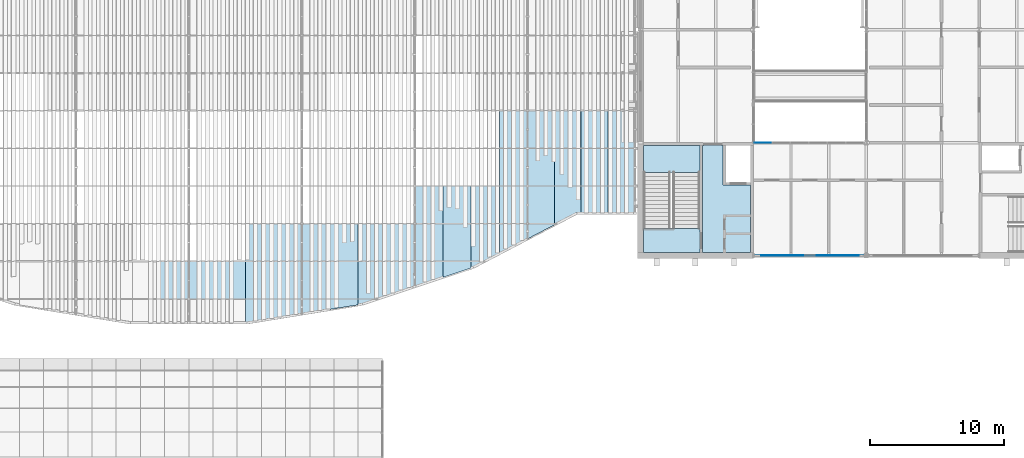
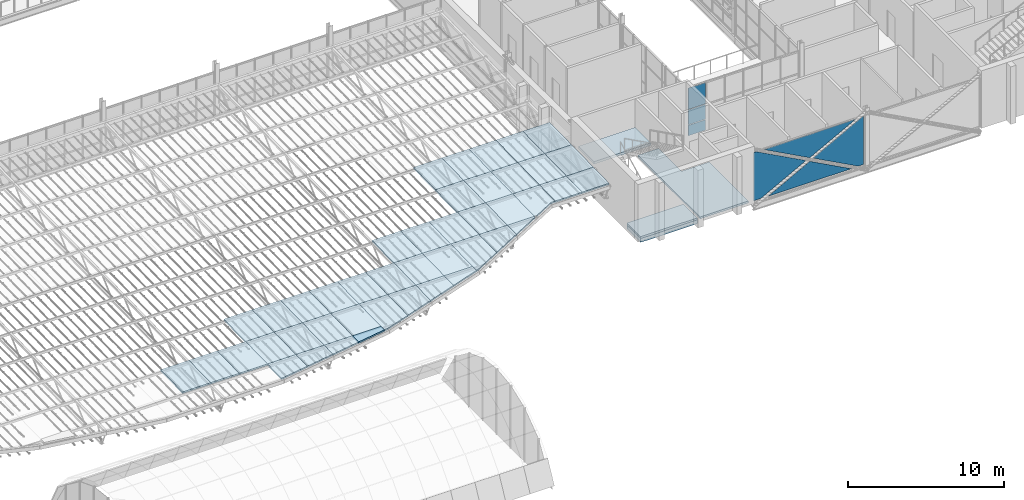
# One storey, part 71 of 129: 51 plates, 4 slabs, 3 elements without a shape of their own.
"""IFC4 building model written with IfcOpenShell, lengths in metres."""

from ifc_helpers import new_model, si_unit, direction, frame, origin, origin_2d, place, context, subcontext, project, spatial, polyline, rectangle, outline, extrude, material, layer, layer_set, type_object, element, aggregate, save


model = new_model("IFC4")

# Units and contexts
model_context = context("Model", 3, precision=1e-05, world=origin(), true_north=direction((0.0, 1.0)))
body_context = subcontext(model_context, "Body", "Model", "MODEL_VIEW")
ifc_project = project(units=[si_unit("LENGTHUNIT", "METRE"), si_unit("AREAUNIT", "SQUARE_METRE"), si_unit("VOLUMEUNIT", "CUBIC_METRE"), si_unit("PLANEANGLEUNIT", "RADIAN"), si_unit("MASSUNIT", "GRAM", prefix="KILO")], contexts=[model_context])

# Site, building, storey
site_placement = place(None, origin())
site = spatial("IfcSite", under=ifc_project, at=site_placement, CompositionType="ELEMENT")
building_placement = place(site_placement, origin())
building = spatial("IfcBuilding", under=site, at=building_placement, Name="Ardhachandra Cancer Care Centre", CompositionType="ELEMENT")
storey_placement = place(building_placement, frame((0.0, 0.0, 4.5)))
storey = spatial("IfcBuildingStorey", under=building, at=storey_placement, Name="L01", CompositionType="ELEMENT", Elevation=4.5)

# Slabs
ifc_material_1 = material(Name="Concrete M40", Category="concrete")
ifc_layer_1 = layer(ifc_material_1, 0.14990234375)
ifc_layer_set_1 = layer_set([ifc_layer_1], Name="Concrete M40")
slab_type_1 = type_object("IfcSlabType", Name="Core floor slab 150", PredefinedType="FLOOR", material=ifc_layer_set_1)
slab_1_placement = place(storey_placement, frame((0.0, 0.0, -0.14990234375)))
element("IfcSlab", 1, at=slab_1_placement, inside=storey, type_object=slab_type_1, Name="Core floor slab K11 L01 1", PredefinedType="FLOOR", context=body_context, shape_type="SweptSolid", body=[
    extrude(outline(polyline([(111.824951171875, 29.625), (116.02490234375, 29.625), (116.02490234375, 31.39990234375), (111.824951171875, 31.39990234375), (111.824951171875, 29.625)])), origin(), (0.0, 0.0, 1.0), 0.14990234375),
])
slab_2_placement = place(storey_placement, frame((0.0, 0.0, -0.14990234375)))
element("IfcSlab", 2, at=slab_2_placement, inside=storey, type_object=slab_type_1, Name="Core floor slab K11 L01 2", PredefinedType="FLOOR", context=body_context, shape_type="SweptSolid", body=[
    extrude(outline(polyline([(119.800048828125, 29.625), (119.800048828125, 34.64990234375), (117.949951171875, 34.64990234375), (117.75, 34.64990234375), (117.75, 37.60009765625), (116.22509765625, 37.60009765625), (116.22509765625, 29.625), (119.800048828125, 29.625)])), origin(), (0.0, 0.0, 1.0), 0.14990234375),
])
ifc_material_2 = material(Name="Concrete M40", Category="concrete")
ifc_layer_2 = layer(ifc_material_2, 0.300048828125)
ifc_layer_set_2 = layer_set([ifc_layer_2], Name="Concrete M40")
slab_type_2 = type_object("IfcSlabType", Name="Core stair edge slab 300", PredefinedType="FLOOR", material=ifc_layer_set_2)
slab_3_placement = place(storey_placement, frame((0.0, 0.0, -0.449951171875)))
element("IfcSlab", 3, at=slab_3_placement, inside=storey, type_object=slab_type_2, Name="Core stair edge slab K11 L01", PredefinedType="FLOOR", context=body_context, shape_type="SweptSolid", body=[
    extrude(outline(polyline([(111.824951171875, 31.39990234375), (116.02490234375, 31.39990234375), (116.02490234375, 29.625), (111.824951171875, 29.625), (111.824951171875, 31.39990234375)])), origin(), (0.0, 0.0, 1.0), 0.300048828125),
])

# Plates
ifc_material_3 = material(Name="Glass, laminated low-e insulating unit", Category="glass")
ifc_layer_3 = layer(ifc_material_3, 0.1201171875)
ifc_layer_set_3 = layer_set([ifc_layer_3], Name="Glass, laminated low-e insulating unit")
plate_type_1 = type_object("IfcPlateType", Name="Court glass cassette 120", PredefinedType="SHEET", material=ifc_layer_set_3)
plate_1_placement = place(storey_placement, frame((75.89990234375, 26.175048828125, 2.50341796875), z_axis=(0.0, -0.02005002746, 0.999798977995), x_axis=(0.0, 0.999798977995, 0.02005002746)))
element("IfcPlate", 4, at=plate_1_placement, inside=storey, type_object=plate_type_1, Name="Court glass cassette 4-10-4", PredefinedType="SHEET", context=body_context, shape_type="SweptSolid", body=[
    extrude(outline(polyline([(0.0, -2.10009765625), (2.800537109375, -2.10009765625), (2.800537109375, 0.0), (0.0, 0.0), (0.0, -2.10009765625)])), frame((0.0, 0.0, -0.1201171875)), (0.0, 0.0, 1.0), 0.1201171875),
])
plate_2_placement = place(storey_placement, frame((82.199951171875, 28.97509765625, 2.5595703125), z_axis=(0.0, -0.019964628297, 0.999800686946), x_axis=(0.0, 0.999800686946, 0.019964628297)))
element("IfcPlate", 5, at=plate_2_placement, inside=storey, type_object=plate_type_1, Name="Court glass cassette 5-9-3", PredefinedType="SHEET", context=body_context, shape_type="SweptSolid", body=[
    extrude(outline(polyline([(0.0, -2.10009765625), (2.80029296875, -2.10009765625), (2.80029296875, 0.0), (0.0, 0.0), (0.0, -2.10009765625)])), frame((0.0, 0.0, -0.1201171875)), (0.0, 0.0, 1.0), 0.1201171875),
])
plate_3_placement = place(storey_placement, frame((84.300048828125, 28.97509765625, 2.5595703125), z_axis=(0.0, -0.019964628297, 0.999800686946), x_axis=(0.0, 0.999800686946, 0.019964628297)))
element("IfcPlate", 6, at=plate_3_placement, inside=storey, type_object=plate_type_1, Name="Court glass cassette 5-9-4", PredefinedType="SHEET", context=body_context, shape_type="SweptSolid", body=[
    extrude(outline(polyline([(0.0, -2.099853515625), (2.80029296875, -2.099853515625), (2.80029296875, 0.0), (0.0, 0.0), (0.0, -2.099853515625)])), frame((0.0, 0.0, -0.1201171875)), (0.0, 0.0, 1.0), 0.1201171875),
])
plate_4_placement = place(storey_placement, frame((78.0, 26.175048828125, 2.50341796875), z_axis=(0.0, -0.02005002746, 0.999798977995), x_axis=(0.0, 0.999798977995, 0.02005002746)))
element("IfcPlate", 7, at=plate_4_placement, inside=storey, type_object=plate_type_1, Name="Court glass cassette 5-10-1", PredefinedType="SHEET", context=body_context, shape_type="SweptSolid", body=[
    extrude(outline(polyline([(0.0, -2.10009765625), (2.800537109375, -2.10009765625), (2.800537109375, 0.0), (0.0, 0.0), (0.0, -2.10009765625)])), frame((0.0, 0.0, -0.1201171875)), (0.0, 0.0, 1.0), 0.1201171875),
])
plate_5_placement = place(storey_placement, frame((80.10009765625, 26.175048828125, 2.50341796875), z_axis=(0.0, -0.02005002746, 0.999798977995), x_axis=(0.0, 0.999798977995, 0.02005002746)))
element("IfcPlate", 8, at=plate_5_placement, inside=storey, type_object=plate_type_1, Name="Court glass cassette 5-10-2", PredefinedType="SHEET", context=body_context, shape_type="SweptSolid", body=[
    extrude(outline(polyline([(0.0, -2.099853515625), (2.800537109375, -2.099853515625), (2.800537109375, 0.0), (0.0, 0.0), (0.0, -2.099853515625)])), frame((0.0, 0.0, -0.1201171875)), (0.0, 0.0, 1.0), 0.1201171875),
])
plate_6_placement = place(storey_placement, frame((82.199951171875, 26.175048828125, 2.50341796875), z_axis=(0.0, -0.02005002746, 0.999798977995), x_axis=(0.0, 0.999798977995, 0.02005002746)))
element("IfcPlate", 9, at=plate_6_placement, inside=storey, type_object=plate_type_1, Name="Court glass cassette 5-10-3", PredefinedType="SHEET", context=body_context, shape_type="SweptSolid", body=[
    extrude(outline(polyline([(0.0, -2.10009765625), (2.800537109375, -2.10009765625), (2.800537109375, 0.0), (0.0, 0.0), (0.0, -2.10009765625)])), frame((0.0, 0.0, -0.1201171875)), (0.0, 0.0, 1.0), 0.1201171875),
])
plate_7_placement = place(storey_placement, frame((84.300048828125, 26.175048828125, 2.50341796875), z_axis=(0.0, -0.02005002746, 0.999798977995), x_axis=(0.0, 0.999798977995, 0.02005002746)))
element("IfcPlate", 10, at=plate_7_placement, inside=storey, type_object=plate_type_1, Name="Court glass cassette 5-10-4", PredefinedType="SHEET", context=body_context, shape_type="SweptSolid", body=[
    extrude(outline(polyline([(0.0, -2.099853515625), (2.800537109375, -2.099853515625), (2.800537109375, 0.0), (0.0, 0.0), (0.0, -2.099853515625)])), frame((0.0, 0.0, -0.1201171875)), (0.0, 0.0, 1.0), 0.1201171875),
])
plate_8_placement = place(storey_placement, frame((82.199951171875, 26.175048828125, 2.50341796875), z_axis=(-1.0214398e-05, -0.019891469395, 0.999802145097), x_axis=(0.999999999948, -2.03179e-07, 1.0212377e-05)))
element("IfcPlate", 11, at=plate_8_placement, inside=storey, type_object=plate_type_1, Name="Court glass cassette 5-11-3", PredefinedType="SHEET", context=body_context, shape_type="SweptSolid", body=[
    extrude(outline(polyline([(0.0, -1.778564453125), (0.143798828125, -1.778564453125), (2.10009765625, -1.461669921875), (2.10009765625, 0.0), (0.0, 0.0), (0.0, -1.778564453125)])), frame((0.0, 0.0, -0.1201171875)), (0.0, 0.0, 1.0), 0.1201171875),
])
plate_9_placement = place(storey_placement, frame((84.300048828125, 26.175048828125, 2.50341796875), z_axis=(4.5545409e-05, -0.01994120837, 0.999801153297), x_axis=(0.999999998963, 9.0823e-07, -4.5536352e-05)))
element("IfcPlate", 12, at=plate_9_placement, inside=storey, type_object=plate_type_1, Name="Court glass cassette 5-11-4", PredefinedType="SHEET", context=body_context, shape_type="SweptSolid", body=[
    extrude(outline(polyline([(0.0, -1.461669921875), (2.099853515625, -1.12158203125), (2.099853515625, 0.0), (0.0, 0.0), (0.0, -1.461669921875)])), frame((0.0, 0.0, -0.1201171875)), (0.0, 0.0, 1.0), 0.1201171875),
])
for number, where, z_axis, x_axis, name in (
    (13, (86.39990234375, 28.97509765625, 2.5595703125), (0.0, -0.019964628297, 0.999800686946), (0.0, 0.999800686946, 0.019964628297), "Court glass cassette 6-9-1"),
    (14, (88.5, 28.97509765625, 2.5595703125), (0.0, -0.019964628297, 0.999800686946), (0.0, 0.999800686946, 0.019964628297), "Court glass cassette 6-9-2"),
):
    element("IfcPlate", number, at=place(storey_placement, frame(where, z_axis=z_axis, x_axis=x_axis)), inside=storey, type_object=plate_type_1, Name=name, PredefinedType="SHEET", context=body_context, shape_type="SweptSolid", body=[
        extrude(outline(polyline([(0.0, -2.10009765625), (2.80029296875, -2.10009765625), (2.80029296875, 0.0), (0.0, 0.0), (0.0, -2.10009765625)])), frame((0.0, 0.0, -0.1201171875)), (0.0, 0.0, 1.0), 0.1201171875),
    ])
plate_10_placement = place(storey_placement, frame((90.60009765625, 28.97509765625, 2.5595703125), z_axis=(0.0, -0.019964628297, 0.999800686946), x_axis=(0.0, 0.999800686946, 0.019964628297)))
element("IfcPlate", 15, at=plate_10_placement, inside=storey, type_object=plate_type_1, Name="Court glass cassette 6-9-3", PredefinedType="SHEET", context=body_context, shape_type="SweptSolid", body=[
    extrude(outline(polyline([(0.0, -2.099853515625), (2.80029296875, -2.099853515625), (2.80029296875, 0.0), (0.0, 0.0), (0.0, -2.099853515625)])), frame((0.0, 0.0, -0.1201171875)), (0.0, 0.0, 1.0), 0.1201171875),
])
plate_11_placement = place(storey_placement, frame((92.699951171875, 28.97509765625, 2.5595703125), z_axis=(0.0, -0.019964628297, 0.999800686946), x_axis=(0.0, 0.999800686946, 0.019964628297)))
element("IfcPlate", 16, at=plate_11_placement, inside=storey, type_object=plate_type_1, Name="Court glass cassette 6-9-4", PredefinedType="SHEET", context=body_context, shape_type="SweptSolid", body=[
    extrude(outline(polyline([(0.0, -2.10009765625), (2.80029296875, -2.10009765625), (2.80029296875, 0.0), (0.0, 0.0), (0.0, -2.10009765625)])), frame((0.0, 0.0, -0.1201171875)), (0.0, 0.0, 1.0), 0.1201171875),
])
for number, where, z_axis, x_axis, name in (
    (17, (86.39990234375, 26.175048828125, 2.50341796875), (0.0, -0.02005002746, 0.999798977995), (0.0, 0.999798977995, 0.02005002746), "Court glass cassette 6-10-1"),
    (18, (88.5, 26.175048828125, 2.50341796875), (0.0, -0.02005002746, 0.999798977995), (0.0, 0.999798977995, 0.02005002746), "Court glass cassette 6-10-2"),
):
    element("IfcPlate", number, at=place(storey_placement, frame(where, z_axis=z_axis, x_axis=x_axis)), inside=storey, type_object=plate_type_1, Name=name, PredefinedType="SHEET", context=body_context, shape_type="SweptSolid", body=[
        extrude(outline(polyline([(0.0, -2.10009765625), (2.800537109375, -2.10009765625), (2.800537109375, 0.0), (0.0, 0.0), (0.0, -2.10009765625)])), frame((0.0, 0.0, -0.1201171875)), (0.0, 0.0, 1.0), 0.1201171875),
    ])
plate_12_placement = place(storey_placement, frame((90.920166015625, 25.78564453125, 2.49560546875), z_axis=(-1.7693132e-05, -0.020044659764, 0.999799085468), x_axis=(-0.987171664814, -0.159630040026, -0.00321784251)))
element("IfcPlate", 19, at=plate_12_placement, inside=storey, type_object=plate_type_1, Name="Court glass cassette 6-10-3", PredefinedType="SHEET", context=body_context, shape_type="SweptSolid", body=[
    extrude(outline(polyline([(-1.2177734375, -0.197509765625), (-1.8515625, -0.30029296875), (-2.266357421875, -2.864990234375), (-0.193359375, -3.2001953125), (0.253662109375, -0.435546875), (0.32421875, 0.0), (0.0, 0.0), (-1.2177734375, -0.197509765625)])), frame((0.0, 0.0, -0.1201171875)), (0.0, 0.0, 1.0), 0.1201171875),
])
plate_13_placement = place(storey_placement, frame((92.699951171875, 28.97509765625, 2.5595703125), z_axis=(1.8743512e-05, -0.020031816122, 0.999799342864), x_axis=(0.999999999824, 3.75467e-07, -1.8739751e-05)))
element("IfcPlate", 20, at=plate_13_placement, inside=storey, type_object=plate_type_1, Name="Court glass cassette 6-10-4", PredefinedType="SHEET", context=body_context, shape_type="SweptSolid", body=[
    extrude(outline(polyline([(0.0, -2.597900390625), (2.10009765625, -1.8994140625), (2.10009765625, 0.0), (0.0, 0.0), (0.0, -2.597900390625)])), frame((0.0, 0.0, -0.1201171875)), (0.0, 0.0, 1.0), 0.1201171875),
])
plate_14_placement = place(storey_placement, frame((86.39990234375, 26.175048828125, 2.50341796875), z_axis=(-6.681699e-06, -0.020013955256, 0.999799700715), x_axis=(0.999999999978, -1.33727e-07, 6.680361e-06)))
element("IfcPlate", 21, at=plate_14_placement, inside=storey, type_object=plate_type_1, Name="Court glass cassette 6-11-1", PredefinedType="SHEET", context=body_context, shape_type="SweptSolid", body=[
    extrude(outline(polyline([(0.0, -1.12158203125), (2.10009765625, -0.781494140625), (2.10009765625, 0.0), (0.0, 0.0), (0.0, -1.12158203125)])), frame((0.0, 0.0, -0.1201171875)), (0.0, 0.0, 1.0), 0.1201171875),
])
plate_15_placement = place(storey_placement, frame((88.5, 26.175048828125, 2.50341796875), z_axis=(-1.0399546e-05, -0.019968057088, 0.999800618417), x_axis=(0.999999999946, -2.07659e-07, 1.0397473e-05)))
element("IfcPlate", 22, at=plate_15_placement, inside=storey, type_object=plate_type_1, Name="Court glass cassette 6-11-2", PredefinedType="SHEET", context=body_context, shape_type="SweptSolid", body=[
    extrude(outline(polyline([(0.0, -0.781494140625), (2.10009765625, -0.441162109375), (2.10009765625, 0.0), (0.0, 0.0), (0.0, -0.781494140625)])), frame((0.0, 0.0, -0.1201171875)), (0.0, 0.0, 1.0), 0.1201171875),
])
for number, where, z_axis, x_axis, name in (
    (23, (101.10009765625, 37.375, 2.7275390625), (0.0, -0.019962888244, 0.999800721691), (0.0, 0.999800721691, 0.019962888244), "Court glass cassette 7-6-4"),
    (24, (101.10009765625, 34.574951171875, 2.67138671875), (0.0, -0.02005002746, 0.999798977995), (0.0, 0.999798977995, 0.02005002746), "Court glass cassette 7-7-4"),
    (25, (94.800048828125, 31.77490234375, 2.615478515625), (0.0, -0.019962888244, 0.999800721691), (0.0, 0.999800721691, 0.019962888244), "Court glass cassette 7-8-1"),
):
    element("IfcPlate", number, at=place(storey_placement, frame(where, z_axis=z_axis, x_axis=x_axis)), inside=storey, type_object=plate_type_1, Name=name, PredefinedType="SHEET", context=body_context, shape_type="SweptSolid", body=[
        extrude(outline(polyline([(0.0, -2.099853515625), (2.800537109375, -2.099853515625), (2.800537109375, 0.0), (0.0, 0.0), (0.0, -2.099853515625)])), frame((0.0, 0.0, -0.1201171875)), (0.0, 0.0, 1.0), 0.1201171875),
    ])
for number, where, z_axis, x_axis, name in (
    (26, (96.89990234375, 31.77490234375, 2.615478515625), (0.0, -0.019962888244, 0.999800721691), (0.0, 0.999800721691, 0.019962888244), "Court glass cassette 7-8-2"),
    (27, (99.0, 31.77490234375, 2.615478515625), (0.0, -0.019962888244, 0.999800721691), (0.0, 0.999800721691, 0.019962888244), "Court glass cassette 7-8-3"),
):
    element("IfcPlate", number, at=place(storey_placement, frame(where, z_axis=z_axis, x_axis=x_axis)), inside=storey, type_object=plate_type_1, Name=name, PredefinedType="SHEET", context=body_context, shape_type="SweptSolid", body=[
        extrude(outline(polyline([(0.0, -2.10009765625), (2.800537109375, -2.10009765625), (2.800537109375, 0.0), (0.0, 0.0), (0.0, -2.10009765625)])), frame((0.0, 0.0, -0.1201171875)), (0.0, 0.0, 1.0), 0.1201171875),
    ])
plate_16_placement = place(storey_placement, frame((101.10009765625, 31.77490234375, 2.615478515625), z_axis=(0.0, -0.019962888244, 0.999800721691), x_axis=(0.0, 0.999800721691, 0.019962888244)))
element("IfcPlate", 28, at=plate_16_placement, inside=storey, type_object=plate_type_1, Name="Court glass cassette 7-8-4", PredefinedType="SHEET", context=body_context, shape_type="SweptSolid", body=[
    extrude(outline(polyline([(0.0, -2.099853515625), (2.800537109375, -2.099853515625), (2.800537109375, 0.0), (0.0, 0.0), (0.0, -2.099853515625)])), frame((0.0, 0.0, -0.1201171875)), (0.0, 0.0, 1.0), 0.1201171875),
])
plate_17_placement = place(storey_placement, frame((94.800048828125, 28.97509765625, 2.5595703125), z_axis=(0.0, -0.019964628297, 0.999800686946), x_axis=(0.0, 0.999800686946, 0.019964628297)))
element("IfcPlate", 29, at=plate_17_placement, inside=storey, type_object=plate_type_1, Name="Court glass cassette 7-9-1", PredefinedType="SHEET", context=body_context, shape_type="SweptSolid", body=[
    extrude(outline(polyline([(0.0, -2.099853515625), (2.80029296875, -2.099853515625), (2.80029296875, 0.0), (0.0, 0.0), (0.0, -2.099853515625)])), frame((0.0, 0.0, -0.1201171875)), (0.0, 0.0, 1.0), 0.1201171875),
])
plate_18_placement = place(storey_placement, frame((96.89990234375, 28.97509765625, 2.5595703125), z_axis=(0.0, -0.019964628297, 0.999800686946), x_axis=(0.0, 0.999800686946, 0.019964628297)))
element("IfcPlate", 30, at=plate_18_placement, inside=storey, type_object=plate_type_1, Name="Court glass cassette 7-9-2", PredefinedType="SHEET", context=body_context, shape_type="SweptSolid", body=[
    extrude(outline(polyline([(0.0, -2.10009765625), (2.80029296875, -2.10009765625), (2.80029296875, 0.0), (0.0, 0.0), (0.0, -2.10009765625)])), frame((0.0, 0.0, -0.1201171875)), (0.0, 0.0, 1.0), 0.1201171875),
])
plate_19_placement = place(storey_placement, frame((99.16650390625, 28.52880859375, 2.550537109375), z_axis=(1.6498352e-05, -0.019979320467, 0.999800393319), x_axis=(-0.948807903241, -0.315790970556, -0.006294891737)))
element("IfcPlate", 31, at=plate_19_placement, inside=storey, type_object=plate_type_1, Name="Court glass cassette 7-9-3", PredefinedType="SHEET", context=body_context, shape_type="SweptSolid", body=[
    extrude(outline(polyline([(-0.950927734375, -0.154052734375), (-2.154052734375, -0.3486328125), (-2.860107421875, -2.4697265625), (-0.867431640625, -3.133056640625), (0.01708984375, -0.47607421875), (0.175537109375, 0.0), (0.0, 0.0), (-0.950927734375, -0.154052734375)])), frame((0.0, 0.0, -0.1201171875)), (0.0, 0.0, 1.0), 0.1201171875),
])
plate_20_placement = place(storey_placement, frame((101.10009765625, 31.77490234375, 2.615478515625), z_axis=(-8.407016e-06, -0.019977189628, 0.999800435999), x_axis=(0.999999999965, -1.67949e-07, 8.405338e-06)))
element("IfcPlate", 32, at=plate_20_placement, inside=storey, type_object=plate_type_1, Name="Court glass cassette 7-9-4", PredefinedType="SHEET", context=body_context, shape_type="SweptSolid", body=[
    extrude(outline(polyline([(0.0, -2.235595703125), (2.099853515625, -1.137451171875), (2.099853515625, 0.0), (0.0, 0.0), (0.0, -2.235595703125)])), frame((0.0, 0.0, -0.1201171875)), (0.0, 0.0, 1.0), 0.1201171875),
])
plate_21_placement = place(storey_placement, frame((94.800048828125, 28.97509765625, 2.5595703125), z_axis=(2.8625555e-05, -0.020084178706, 0.99979829213), x_axis=(0.99999999959, 5.74921e-07, -2.8619781e-05)))
element("IfcPlate", 33, at=plate_21_placement, inside=storey, type_object=plate_type_1, Name="Court glass cassette 7-10-1", PredefinedType="SHEET", context=body_context, shape_type="SweptSolid", body=[
    extrude(outline(polyline([(0.0, -1.8994140625), (2.099853515625, -1.200439453125), (2.099853515625, 0.0), (0.0, 0.0), (0.0, -1.8994140625)])), frame((0.0, 0.0, -0.1201171875)), (0.0, 0.0, 1.0), 0.1201171875),
])
plate_22_placement = place(storey_placement, frame((96.89990234375, 28.97509765625, 2.5595703125), z_axis=(-3.1495599e-05, -0.020079152922, 0.99979839299), x_axis=(0.999999999504, -6.32405e-07, 3.1489249e-05)))
element("IfcPlate", 34, at=plate_22_placement, inside=storey, type_object=plate_type_1, Name="Court glass cassette 7-10-2", PredefinedType="SHEET", context=body_context, shape_type="SweptSolid", body=[
    extrude(outline(polyline([(0.0, -1.200439453125), (2.10009765625, -0.501708984375), (2.10009765625, 0.0), (0.0, 0.0), (0.0, -1.200439453125)])), frame((0.0, 0.0, -0.1201171875)), (0.0, 0.0, 1.0), 0.1201171875),
])
plate_23_placement = place(storey_placement, frame((103.199951171875, 37.375, 2.7275390625), z_axis=(0.0, -0.019962888244, 0.999800721691), x_axis=(0.0, 0.999800721691, 0.019962888244)))
element("IfcPlate", 35, at=plate_23_placement, inside=storey, type_object=plate_type_1, Name="Court glass cassette 8-6-1", PredefinedType="SHEET", context=body_context, shape_type="SweptSolid", body=[
    extrude(outline(polyline([(0.0, -1.996337890625), (2.800537109375, -1.996337890625), (2.800537109375, 0.0), (0.0, 0.0), (0.0, -1.996337890625)])), frame((0.0, 0.0, -0.1201171875)), (0.0, 0.0, 1.0), 0.1201171875),
])
plate_24_placement = place(storey_placement, frame((105.1962890625, 37.375, 2.7275390625), z_axis=(0.0, -0.019962888244, 0.999800721691), x_axis=(0.0, 0.999800721691, 0.019962888244)))
element("IfcPlate", 36, at=plate_24_placement, inside=storey, type_object=plate_type_1, Name="Court glass cassette 8-6-2", PredefinedType="SHEET", context=body_context, shape_type="SweptSolid", body=[
    extrude(outline(polyline([(0.0, -1.99609375), (2.800537109375, -1.99609375), (2.800537109375, 0.0), (0.0, 0.0), (0.0, -1.99609375)])), frame((0.0, 0.0, -0.1201171875)), (0.0, 0.0, 1.0), 0.1201171875),
])
plate_25_placement = place(storey_placement, frame((107.1923828125, 37.375, 2.7275390625), z_axis=(0.0, -0.019962888244, 0.999800721691), x_axis=(0.0, 0.999800721691, 0.019962888244)))
element("IfcPlate", 37, at=plate_25_placement, inside=storey, type_object=plate_type_1, Name="Court glass cassette 8-6-3", PredefinedType="SHEET", context=body_context, shape_type="SweptSolid", body=[
    extrude(outline(polyline([(0.0, -1.996337890625), (2.800537109375, -1.996337890625), (2.800537109375, 0.0), (0.0, 0.0), (0.0, -1.996337890625)])), frame((0.0, 0.0, -0.1201171875)), (0.0, 0.0, 1.0), 0.1201171875),
])
plate_26_placement = place(storey_placement, frame((111.18505859375, 37.375, 2.7275390625), z_axis=(0.0, -0.019962888244, 0.999800721691), x_axis=(-1.0, 0.0, 0.0)))
element("IfcPlate", 38, at=plate_26_placement, inside=storey, type_object=plate_type_1, Name="Court glass cassette 8-6-4", PredefinedType="SHEET", context=body_context, shape_type="SweptSolid", body=[
    extrude(outline(polyline([(0.0, -2.800537109375), (1.996337890625, -2.800537109375), (1.996337890625, 0.0), (0.0, 0.0), (0.0, -2.800537109375)])), frame((0.0, 0.0, -0.1201171875)), (0.0, 0.0, 1.0), 0.1201171875),
])
plate_27_placement = place(storey_placement, frame((103.199951171875, 34.574951171875, 2.67138671875), z_axis=(0.0, -0.02005002746, 0.999798977995), x_axis=(0.0, 0.999798977995, 0.02005002746)))
element("IfcPlate", 39, at=plate_27_placement, inside=storey, type_object=plate_type_1, Name="Court glass cassette 8-7-1", PredefinedType="SHEET", context=body_context, shape_type="SweptSolid", body=[
    extrude(outline(polyline([(0.0, -1.996337890625), (2.800537109375, -1.996337890625), (2.800537109375, 0.0), (0.0, 0.0), (0.0, -1.996337890625)])), frame((0.0, 0.0, -0.1201171875)), (0.0, 0.0, 1.0), 0.1201171875),
])
plate_28_placement = place(storey_placement, frame((105.1962890625, 34.574951171875, 2.67138671875), z_axis=(0.0, -0.02005002746, 0.999798977995), x_axis=(0.0, 0.999798977995, 0.02005002746)))
element("IfcPlate", 40, at=plate_28_placement, inside=storey, type_object=plate_type_1, Name="Court glass cassette 8-7-2", PredefinedType="SHEET", context=body_context, shape_type="SweptSolid", body=[
    extrude(outline(polyline([(0.0, -1.99609375), (2.800537109375, -1.99609375), (2.800537109375, 0.0), (0.0, 0.0), (0.0, -1.99609375)])), frame((0.0, 0.0, -0.1201171875)), (0.0, 0.0, 1.0), 0.1201171875),
])
plate_29_placement = place(storey_placement, frame((107.1923828125, 34.574951171875, 2.67138671875), z_axis=(0.0, -0.02005002746, 0.999798977995), x_axis=(0.0, 0.999798977995, 0.02005002746)))
element("IfcPlate", 41, at=plate_29_placement, inside=storey, type_object=plate_type_1, Name="Court glass cassette 8-7-3", PredefinedType="SHEET", context=body_context, shape_type="SweptSolid", body=[
    extrude(outline(polyline([(0.0, -1.996337890625), (2.800537109375, -1.996337890625), (2.800537109375, 0.0), (0.0, 0.0), (0.0, -1.996337890625)])), frame((0.0, 0.0, -0.1201171875)), (0.0, 0.0, 1.0), 0.1201171875),
])
plate_30_placement = place(storey_placement, frame((111.18505859375, 34.574951171875, 2.67138671875), z_axis=(0.0, -0.02005002746, 0.999798977995), x_axis=(-1.0, 0.0, 0.0)))
element("IfcPlate", 42, at=plate_30_placement, inside=storey, type_object=plate_type_1, Name="Court glass cassette 8-7-4", PredefinedType="SHEET", context=body_context, shape_type="SweptSolid", body=[
    extrude(outline(polyline([(0.0, -2.800537109375), (1.996337890625, -2.800537109375), (1.996337890625, 0.0), (0.0, 0.0), (0.0, -2.800537109375)])), frame((0.0, 0.0, -0.1201171875)), (0.0, 0.0, 1.0), 0.1201171875),
])
plate_31_placement = place(storey_placement, frame((103.199951171875, 31.77490234375, 2.615478515625), z_axis=(0.0, -0.019962888244, 0.999800721691), x_axis=(0.0, 0.999800721691, 0.019962888244)))
element("IfcPlate", 43, at=plate_31_placement, inside=storey, type_object=plate_type_1, Name="Court glass cassette 8-8-1", PredefinedType="SHEET", context=body_context, shape_type="SweptSolid", body=[
    extrude(outline(polyline([(0.0, -1.996337890625), (2.800537109375, -1.996337890625), (2.800537109375, 0.0), (0.0, 0.0), (0.0, -1.996337890625)])), frame((0.0, 0.0, -0.1201171875)), (0.0, 0.0, 1.0), 0.1201171875),
])
plate_32_placement = place(storey_placement, frame((105.1962890625, 31.77490234375, 2.615478515625), z_axis=(-4.45122e-07, -0.019962548512, 0.999800728474), x_axis=(0.0, 0.999800728474, 0.019962548512)))
element("IfcPlate", 44, at=plate_32_placement, inside=storey, type_object=plate_type_1, Name="Court glass cassette 8-8-2", PredefinedType="SHEET", context=body_context, shape_type="SweptSolid", body=[
    extrude(outline(polyline([(0.0, -0.178955078125), (0.78271484375, -1.67529296875), (0.78271484375, -1.99609375), (2.800537109375, -1.99609375), (2.800537109375, 0.0), (0.0, 0.0), (0.0, -0.178955078125)])), frame((0.0, 0.0, -0.1201171875)), (0.0, 0.0, 1.0), 0.1201171875),
])
for number, where, z_axis, x_axis, name in (
    (45, (107.1923828125, 34.574951171875, 2.67138671875), (0.0, -0.019962139587, 0.999800736639), (1.0, 0.0, 0.0), "Court glass cassette 8-8-3"),
    (46, (111.18505859375, 32.557373046875, 2.631103515625), (0.0, -0.019962139587, 0.999800736639), (-1.0, 0.0, 0.0), "Court glass cassette 8-8-4"),
):
    element("IfcPlate", number, at=place(storey_placement, frame(where, z_axis=z_axis, x_axis=x_axis)), inside=storey, type_object=plate_type_1, Name=name, PredefinedType="SHEET", context=body_context, shape_type="SweptSolid", body=[
        extrude(outline(polyline([(0.0, -2.01806640625), (1.996337890625, -2.01806640625), (1.996337890625, 0.0), (0.0, 0.0), (0.0, -2.01806640625)])), frame((0.0, 0.0, -0.1201171875)), (0.0, 0.0, 1.0), 0.1201171875),
    ])
plate_33_placement = place(storey_placement, frame((103.199951171875, 31.77490234375, 2.615478515625), z_axis=(3.9899555e-05, -0.020031686933, 0.999799344832), x_axis=(0.999999999204, 7.99255e-07, -3.9891549e-05)))
element("IfcPlate", 47, at=plate_33_placement, inside=storey, type_object=plate_type_1, Name="Court glass cassette 8-9-1", PredefinedType="SHEET", context=body_context, shape_type="SweptSolid", body=[
    extrude(outline(polyline([(0.0, -1.137451171875), (1.996337890625, -0.093505859375), (1.996337890625, 0.0), (0.0, 0.0), (0.0, -1.137451171875)])), frame((0.0, 0.0, -0.1201171875)), (0.0, 0.0, 1.0), 0.1201171875),
])

# Curtain wall, plates
ifc_material_4 = material(Name="Aluminium extrusion", Category="aluminium")
ifc_layer_4 = layer(ifc_material_4, 0.14990234375)
ifc_layer_set_4 = layer_set([ifc_layer_4], Name="Aluminium extrusion")
curtain_wall_type = type_object("IfcCurtainWallType", Name="Curtain wall run", PredefinedType="NOTDEFINED", material=ifc_layer_set_4)
curtain_wall_1_placement = place(storey_placement, origin())
curtain_wall_1 = element("IfcCurtainWall", 48, at=curtain_wall_1_placement, inside=storey, type_object=curtain_wall_type, Name="Curtain wall L01 n/0120000_0037800", PredefinedType="NOTDEFINED")
ifc_material_5 = material(Name="Low-iron double-glazed unit")
ifc_layer_5 = layer(ifc_material_5, 0.028076171875)
ifc_layer_set_5 = layer_set([ifc_layer_5], Name="Low-iron double-glazed unit")
plate_type_2 = type_object("IfcPlateType", Name="Curtain wall glazing 28", PredefinedType="CURTAIN_PANEL", material=ifc_layer_set_5)
plate_34_placement = place(storey_placement, frame((120.702392578125, 37.800048828125, 0.93017578125), z_axis=(0.0, 0.0, 1.0), x_axis=(1.0, 0.0, 0.0)))
plate_34 = element("IfcPlate", 49, at=plate_34_placement, type_object=plate_type_2, Name="CW panel 1.2", PredefinedType="CURTAIN_PANEL", context=body_context, shape_type="SweptSolid", body=[
    extrude(rectangle(XDim=1.284912109375, YDim=0.028076171875, at=origin_2d()), origin(), (0.0, 0.0, 1.0), 1.139892578125),
])
plate_35_placement = place(storey_placement, frame((120.702392578125, 37.800048828125, 2.1298828125), z_axis=(0.0, 0.0, 1.0), x_axis=(1.0, 0.0, 0.0)))
plate_35 = element("IfcPlate", 50, at=plate_35_placement, type_object=plate_type_2, Name="CW panel 1.3", PredefinedType="CURTAIN_PANEL", context=body_context, shape_type="SweptSolid", body=[
    extrude(rectangle(XDim=1.284912109375, YDim=0.028076171875, at=origin_2d()), origin(), (0.0, 0.0, 1.0), 1.659912109375),
])

curtain_wall_2_placement = place(storey_placement, origin())
curtain_wall_2 = element("IfcCurtainWall", 51, at=curtain_wall_2_placement, inside=storey, type_object=curtain_wall_type, Name="Curtain wall L01 s/0120000_0029400", PredefinedType="NOTDEFINED")
plate_36_placement = place(storey_placement, frame((128.18994140625, 29.39990234375, 3.825927734375), z_axis=(0.0, 1.0, 0.0), x_axis=(0.0, 0.0, -1.0)))
plate_36 = element("IfcPlate", 52, at=plate_36_placement, type_object=plate_type_2, Name="CW panel 1.1", PredefinedType="CURTAIN_PANEL", context=body_context, shape_type="SweptSolid", body=[
    extrude(outline(polyline([(0.0, 0.0), (3.765869140625, 0.0), (3.765869140625, 0.385009765625), (1.967041015625, 3.729736328125), (0.0, 0.07275390625), (0.0, 0.0)])), origin(), (0.0, 0.0, 1.0), 0.028076171875),
])
plate_37_placement = place(storey_placement, frame((127.596923828125, 29.39990234375, 3.825927734375), z_axis=(0.0, 1.0, 0.0), x_axis=(-0.880712849131, 0.0, -0.473650585744)))
plate_37 = element("IfcPlate", 53, at=plate_37_placement, type_object=plate_type_2, Name="CW panel 1.1", PredefinedType="CURTAIN_PANEL", context=body_context, shape_type="SweptSolid", body=[
    extrude(outline(polyline([(0.0, 0.0), (3.857177734375, 0.0), (5.9833984375, 3.218017578125), (0.0, 0.0)])), frame((0.0, 0.0, -0.028076171875)), (0.0, 0.0, 1.0), 0.028076171875),
])
plate_38_placement = place(storey_placement, frame((120.06005859375, 29.39990234375, 0.06005859375), z_axis=(0.0, 1.0, 0.0), x_axis=(0.0, 0.0, 1.0)))
plate_38 = element("IfcPlate", 54, at=plate_38_placement, type_object=plate_type_2, Name="CW panel 1.1", PredefinedType="CURTAIN_PANEL", context=body_context, shape_type="SweptSolid", body=[
    extrude(outline(polyline([(0.0, 0.0), (3.765869140625, 0.0), (3.765869140625, 0.22265625), (1.798828125, 3.879638671875), (0.0, 0.534912109375), (0.0, 0.0)])), origin(), (0.0, 0.0, 1.0), 0.028076171875),
])
plate_39_placement = place(storey_placement, frame((121.115478515625, 29.39990234375, 0.06005859375), z_axis=(0.0, 1.0, 0.0), x_axis=(0.880701546628, 0.0, 0.473671601182)))
plate_39 = element("IfcPlate", 55, at=plate_39_placement, type_object=plate_type_2, Name="CW panel 1.1", PredefinedType="CURTAIN_PANEL", context=body_context, shape_type="SweptSolid", body=[
    extrude(outline(polyline([(0.0, 0.0), (3.502197265625, 0.0), (5.43310546875, 2.922119140625), (0.0, 0.0)])), frame((0.0, 0.0, -0.028076171875)), (0.0, 0.0, 1.0), 0.028076171875),
])
aggregate(curtain_wall_2, [plate_36, plate_37, plate_38, plate_39])

# Plate
ifc_material_6 = material(Name="Aluminium composite spandrel panel", Category="aluminium")
ifc_layer_6 = layer(ifc_material_6, 0.028076171875)
ifc_layer_set_6 = layer_set([ifc_layer_6], Name="Aluminium composite spandrel panel")
plate_type_3 = type_object("IfcPlateType", Name="Curtain wall spandrel panel 28", PredefinedType="CURTAIN_PANEL", material=ifc_layer_set_6)
plate_40_placement = place(storey_placement, frame((120.702392578125, 37.800048828125, 0.06005859375), z_axis=(0.0, 0.0, 1.0), x_axis=(1.0, 0.0, 0.0)))
plate_40 = element("IfcPlate", 56, at=plate_40_placement, type_object=plate_type_3, Name="CW panel 1.1", PredefinedType="CURTAIN_PANEL", context=body_context, shape_type="SweptSolid", body=[
    extrude(rectangle(XDim=1.284912109375, YDim=0.028076171875, at=origin_2d()), origin(), (0.0, 0.0, 1.0), 0.81005859375),
])

aggregate(curtain_wall_1, [plate_40, plate_34, plate_35])

# Stair, slab
ifc_material_7 = material(Name="Concrete M40", Category="concrete")
stair_type = type_object("IfcStairType", Name="Dog-leg stair 2000", PredefinedType="HALF_TURN_STAIR", material=ifc_material_7)
stair_placement = place(storey_placement, origin())
stair = element("IfcStair", 57, at=stair_placement, inside=storey, type_object=stair_type, Name="Stair K11 L01-L02", PredefinedType="HALF_TURN_STAIR")
ifc_material_8 = material(Name="Concrete M40", Category="concrete")
ifc_layer_7 = layer(ifc_material_8, 0.199951171875)
ifc_layer_set_7 = layer_set([ifc_layer_7], Name="Concrete M40")
slab_type_3 = type_object("IfcSlabType", Name="Stair landing 200", PredefinedType="LANDING", material=ifc_layer_set_7)
slab_4_placement = place(storey_placement, frame((0.0, 0.0, 2.050048828125)))
slab_4 = element("IfcSlab", 58, at=slab_4_placement, type_object=slab_type_3, Name="stair K11 L01-L02 landing 1", PredefinedType="LANDING", context=body_context, shape_type="SweptSolid", body=[
    extrude(outline(polyline([(111.824951171875, 35.60009765625), (116.02490234375, 35.60009765625), (116.02490234375, 37.60009765625), (111.824951171875, 37.60009765625), (111.824951171875, 35.60009765625)])), origin(), (0.0, 0.0, 1.0), 0.199951171875),
])
aggregate(stair, [slab_4])

save(model, "model.ifc")
